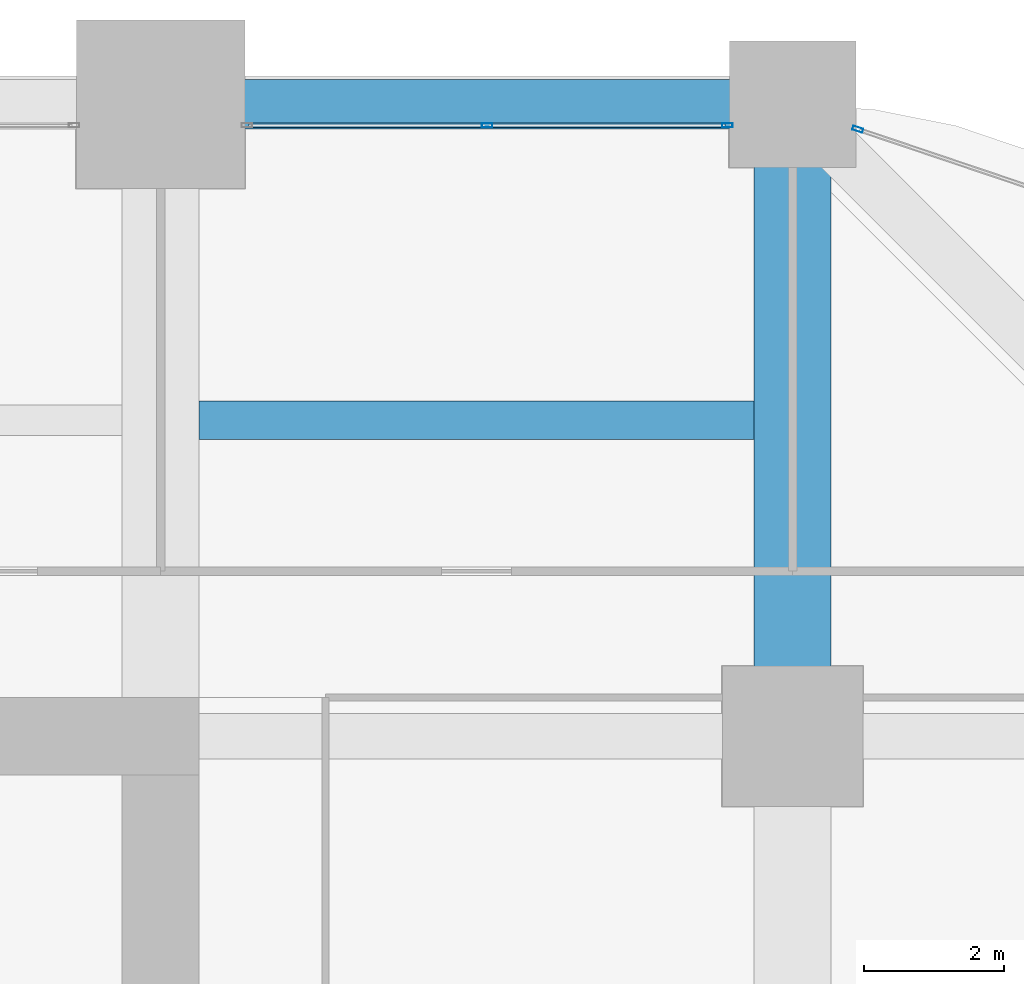
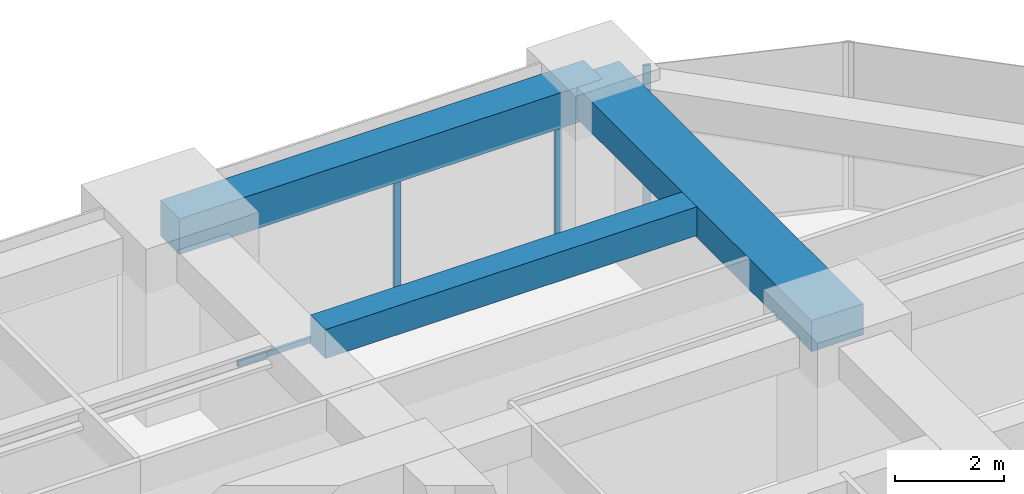
# One storey, part 33 of 41: 4 members, 3 beams, 2 elements without a shape of their own.
"""IFC4 building model written with IfcOpenShell, lengths in metres."""

from ifc_helpers import new_model, si_unit, direction, frame, origin, origin_2d, place, context, subcontext, project, spatial, rectangle, hollow_rectangle, extrude, material, material_profile, profile_set, type_object, element, aggregate, save


model = new_model("IFC4")

# Units and contexts
model_context = context("Model", 3, precision=1e-05, world=origin(), true_north=direction((0.0, 1.0)))
body_context = subcontext(model_context, "Body", "Model", "MODEL_VIEW")
ifc_project = project(units=[si_unit("LENGTHUNIT", "METRE"), si_unit("AREAUNIT", "SQUARE_METRE"), si_unit("VOLUMEUNIT", "CUBIC_METRE"), si_unit("PLANEANGLEUNIT", "RADIAN"), si_unit("MASSUNIT", "GRAM", prefix="KILO")], contexts=[model_context])

# Site, building, storey
site_placement = place(None, origin())
site = spatial("IfcSite", under=ifc_project, at=site_placement, CompositionType="ELEMENT")
building_placement = place(site_placement, origin())
building = spatial("IfcBuilding", under=site, at=building_placement, Name="Zorevar Civic Tower", CompositionType="ELEMENT")
storey_placement = place(building_placement, frame((0.0, 0.0, 105.0)))
storey = spatial("IfcBuildingStorey", under=building, at=storey_placement, Name="L25", CompositionType="ELEMENT", Elevation=105.0)

# Beams
ifc_material_1 = material(Name="Concrete C50/60", Category="concrete")
ifc_material_profile_1 = material_profile(ifc_material_1, rectangle(XDim=1.10009765625, YDim=0.699951171875, at=origin_2d()), Name="RC 1100x700")
ifc_profile_set_1 = profile_set([ifc_material_profile_1], Name="Concrete C50/60")
beam_type_1 = type_object("IfcBeamType", Name="Beam RC 1100x700", PredefinedType="BEAM", material=ifc_profile_set_1)
beam_1_placement = place(storey_placement, frame((54.0, 36.0, 3.39990234375), z_axis=(0.0, 1.0, 0.0), x_axis=(-1.0, 0.0, 0.0)))
element("IfcBeam", 1, at=beam_1_placement, inside=storey, type_object=beam_type_1, Name="Girder L26", PredefinedType="BEAM", context=body_context, shape_type="SweptSolid", body=[
    extrude(rectangle(XDim=1.10009765625, YDim=0.699951171875, at=origin_2d()), origin(), (0.0, 0.0, 1.0), 9.0),
])
ifc_material_2 = material(Name="Concrete C50/60", Category="concrete")
ifc_material_profile_2 = material_profile(ifc_material_2, rectangle(XDim=0.550048828125, YDim=0.64990234375, at=origin_2d()), Name="RC 550x650")
ifc_profile_set_2 = profile_set([ifc_material_profile_2], Name="Concrete C50/60")
beam_type_2 = type_object("IfcBeamType", Name="Beam RC 550x650", PredefinedType="BEAM", material=ifc_profile_set_2)
beam_2_placement = place(storey_placement, frame((45.550048828125, 40.5, 3.425048828125), z_axis=(1.0, 0.0, 0.0), x_axis=(0.0, 1.0, 0.0)))
element("IfcBeam", 2, at=beam_2_placement, inside=storey, type_object=beam_type_2, Name="Secondary beam L26", PredefinedType="BEAM", context=body_context, shape_type="SweptSolid", body=[
    extrude(rectangle(XDim=0.550048828125, YDim=0.64990234375, at=origin_2d()), origin(), (0.0, 0.0, 1.0), 7.89990234375),
])

# Curtain wall, members
ifc_material_3 = material(Name="Dark grey solar-control glass in black aluminium frame", Category="aluminium")
curtain_wall_type = type_object("IfcCurtainWallType", Name="Curtain wall CW3 mid zone", PredefinedType="NOTDEFINED", material=ifc_material_3)
curtain_wall_1_placement = place(storey_placement, origin())
curtain_wall_1 = element("IfcCurtainWall", 3, at=curtain_wall_1_placement, inside=storey, type_object=curtain_wall_type, Name="CW3 L25", PredefinedType="NOTDEFINED")
ifc_material_4 = material(Name="Aluminium, black anodised", Category="aluminium")
ifc_material_profile_3 = material_profile(ifc_material_4, hollow_rectangle(XDim=0.06005859375, YDim=0.14990234375, WallThickness=0.00390625, at=origin_2d()), Name="AL 150x60x4")
ifc_profile_set_3 = profile_set([ifc_material_profile_3], Name="Aluminium, black anodised")
member_type_1 = type_object("IfcMemberType", Name="CW3 mullion AL 150x60x4", PredefinedType="MULLION", material=ifc_profile_set_3)
member_1_placement = place(storey_placement, frame((49.64990234375, 44.699951171875, 0.06005859375), z_axis=(0.0, 0.0, 1.0), x_axis=(0.0, 1.0, 0.0)))
member_1 = element("IfcMember", 4, at=member_1_placement, type_object=member_type_1, Name="CW3 mullion 2", PredefinedType="MULLION", context=body_context, shape_type="SweptSolid", body=[
    extrude(hollow_rectangle(XDim=0.06005859375, YDim=0.14990234375, WallThickness=0.00390625, at=origin_2d()), origin(), (0.0, 0.0, 1.0), 2.889892578125),
])
member_2_placement = place(storey_placement, frame((53.070068359375, 44.699951171875, 0.0), z_axis=(0.0, 0.0, 1.0), x_axis=(0.0, 1.0, 0.0)))
member_2 = element("IfcMember", 5, at=member_2_placement, type_object=member_type_1, Name="CW3 mullion 3", PredefinedType="MULLION", context=body_context, shape_type="SweptSolid", body=[
    extrude(hollow_rectangle(XDim=0.06005859375, YDim=0.14990234375, WallThickness=0.00390625, at=origin_2d()), origin(), (0.0, 0.0, 1.0), 2.949951171875),
])

# Curtain wall, member
curtain_wall_2_placement = place(storey_placement, origin())
curtain_wall_2 = element("IfcCurtainWall", 6, at=curtain_wall_2_placement, inside=storey, type_object=curtain_wall_type, Name="CW3 L25", PredefinedType="NOTDEFINED")
member_3_placement = place(storey_placement, frame((54.928466796875, 44.643798828125, 0.0), z_axis=(0.0, 0.0, 1.0), x_axis=(-0.319412525043, -0.947615765406, 0.0)))
member_3 = element("IfcMember", 7, at=member_3_placement, type_object=member_type_1, Name="CW3 mullion 2", PredefinedType="MULLION", context=body_context, shape_type="SweptSolid", body=[
    extrude(hollow_rectangle(XDim=0.06005859375, YDim=0.14990234375, WallThickness=0.00390625, at=origin_2d()), origin(), (0.0, 0.0, 1.0), 3.75),
])
aggregate(curtain_wall_2, [member_3])

# Member
ifc_material_5 = material(Name="Aluminium, black anodised", Category="aluminium")
ifc_material_profile_4 = material_profile(ifc_material_5, hollow_rectangle(XDim=0.06005859375, YDim=0.1201171875, WallThickness=0.0029296875, at=origin_2d()), Name="AL 120x60x3")
ifc_profile_set_4 = profile_set([ifc_material_profile_4], Name="Aluminium, black anodised")
member_type_2 = type_object("IfcMemberType", Name="CW3 transom AL 120x60x3", PredefinedType="USERDEFINED", material=ifc_profile_set_4)
member_4_placement = place(storey_placement, frame((46.260009765625, 44.699951171875, 0.030029296875), z_axis=(1.0, 0.0, 0.0), x_axis=(0.0, 1.0, 0.0)))
member_4 = element("IfcMember", 8, at=member_4_placement, type_object=member_type_2, Name="CW3 sill transom", ObjectType="TRANSOM", PredefinedType="USERDEFINED", context=body_context, shape_type="SweptSolid", body=[
    extrude(hollow_rectangle(XDim=0.06005859375, YDim=0.1201171875, WallThickness=0.0029296875, at=origin_2d()), origin(), (0.0, 0.0, 1.0), 6.780029296875),
])

aggregate(curtain_wall_1, [member_1, member_2, member_4])

# Beam
ifc_material_6 = material(Name="Concrete C50/60", Category="concrete")
ifc_material_profile_5 = material_profile(ifc_material_6, rectangle(XDim=0.699951171875, YDim=0.800048828125, at=origin_2d()), Name="RC 700x800")
ifc_profile_set_5 = profile_set([ifc_material_profile_5], Name="Concrete C50/60")
beam_type_3 = type_object("IfcBeamType", Name="Edge beam RC 700x800", PredefinedType="SPANDREL", material=ifc_profile_set_5)
beam_3_placement = place(storey_placement, frame((45.0, 45.0, 3.35009765625), z_axis=(1.0, 0.0, 0.0), x_axis=(0.0, 1.0, 0.0)))
element("IfcBeam", 9, at=beam_3_placement, inside=storey, type_object=beam_type_3, Name="Edge beam L26", PredefinedType="SPANDREL", context=body_context, shape_type="SweptSolid", body=[
    extrude(rectangle(XDim=0.699951171875, YDim=0.800048828125, at=origin_2d()), origin(), (0.0, 0.0, 1.0), 9.0),
])

save(model, "model.ifc")
